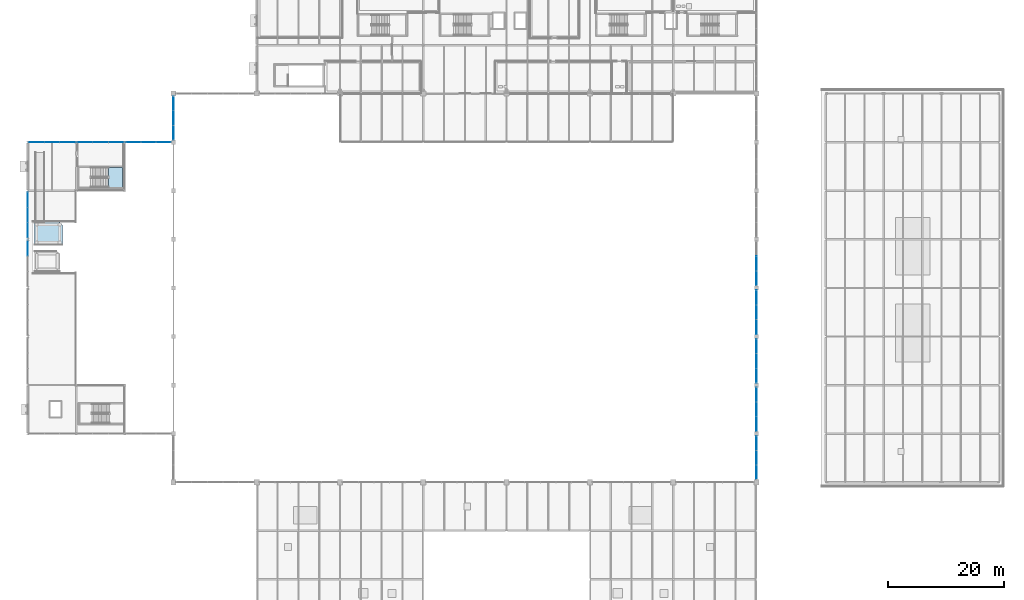
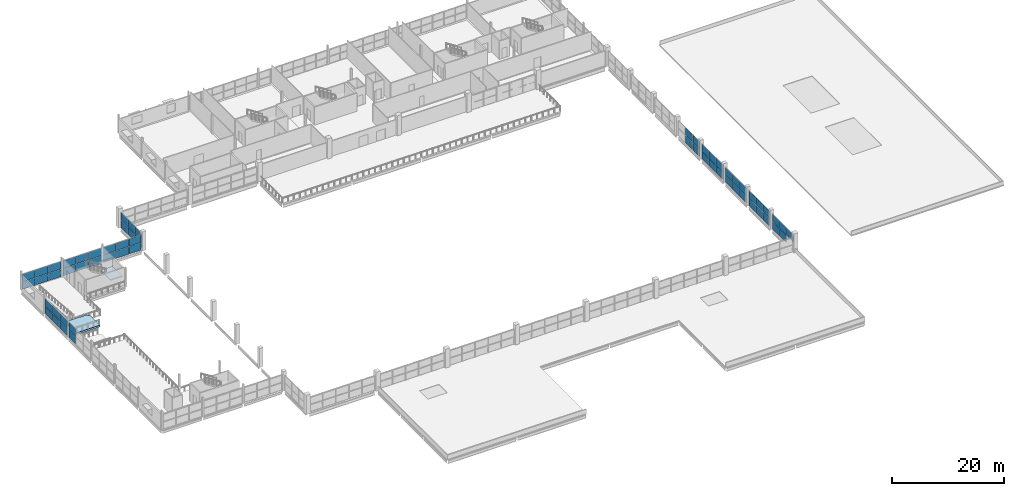
# One storey, part 71 of 93: 59 plates, 2 slabs, 12 elements without a shape of their own.
"""IFC4 building model written with IfcOpenShell, lengths in metres."""

from ifc_helpers import new_model, si_unit, direction, frame, origin, origin_2d, place, context, subcontext, project, spatial, polyline, rectangle, outline, extrude, material, layer, layer_set, type_object, element, aggregate, save


model = new_model("IFC4")

# Units and contexts
model_context = context("Model", 3, precision=1e-05, world=origin(), true_north=direction((0.0, 1.0)))
body_context = subcontext(model_context, "Body", "Model", "MODEL_VIEW")
ifc_project = project(units=[si_unit("LENGTHUNIT", "METRE"), si_unit("AREAUNIT", "SQUARE_METRE"), si_unit("VOLUMEUNIT", "CUBIC_METRE"), si_unit("PLANEANGLEUNIT", "RADIAN"), si_unit("MASSUNIT", "GRAM", prefix="KILO"), si_unit("THERMODYNAMICTEMPERATUREUNIT", "KELVIN")], contexts=[model_context])

# Site, building, storey
site_placement = place(None, origin())
site = spatial("IfcSite", under=ifc_project, at=site_placement, CompositionType="ELEMENT")
building_placement = place(site_placement, origin())
building = spatial("IfcBuilding", under=site, at=building_placement, Name="Nduvali Passage Aquatics Centre", CompositionType="ELEMENT")
storey_placement = place(building_placement, frame((0.0, 0.0, 9.0)))
storey = spatial("IfcBuildingStorey", under=building, at=storey_placement, Name="L02", CompositionType="ELEMENT", Elevation=9.0)

# Curtain wall, plates
ifc_material_1 = material(Name="Aluminium EN AW-6063 T6", Category="aluminium")
curtain_wall_type_1 = type_object("IfcCurtainWallType", Name="ENV-CW-CLER", PredefinedType="NOTDEFINED", material=ifc_material_1)
curtain_wall_1_placement = place(storey_placement, origin())
curtain_wall_1 = element("IfcCurtainWall", 1, at=curtain_wall_1_placement, inside=storey, type_object=curtain_wall_type_1, Name="L02 West Pool Hall Mid Clerestory 013", PredefinedType="NOTDEFINED")
ifc_material_2 = material(Name="Laminated solar-control low-E IGU")
ifc_layer_1 = layer(ifc_material_2, 0.031982421875, Name="Laminated solar-control low-E IGU")
ifc_layer_set_1 = layer_set([ifc_layer_1], Name="Laminated solar-control low-E IGU")
plate_type = type_object("IfcPlateType", Name="ENV-PLT-GLZ32", PredefinedType="CURTAIN_PANEL", material=ifc_layer_set_1)
plate_1_placement = place(storey_placement, frame((25.199951171875, 85.652587890625, 0.06005859375), z_axis=(0.0, 0.0, 1.0), x_axis=(0.0, 1.0, 0.0)))
plate_1 = element("IfcPlate", 2, at=plate_1_placement, type_object=plate_type, Name="West Pool Hall Mid Clerestory Glazed Panel B1-R1", PredefinedType="CURTAIN_PANEL", context=body_context, shape_type="SweptSolid", body=[
    extrude(rectangle(XDim=2.43505859375, YDim=0.031982421875, at=origin_2d()), origin(), (0.0, 0.0, 1.0), 1.61328125),
])
plate_2_placement = place(storey_placement, frame((25.199951171875, 85.652587890625, 1.733154296875), z_axis=(0.0, 0.0, 1.0), x_axis=(0.0, 1.0, 0.0)))
plate_2 = element("IfcPlate", 3, at=plate_2_placement, type_object=plate_type, Name="West Pool Hall Mid Clerestory Glazed Panel B1-R2", PredefinedType="CURTAIN_PANEL", context=body_context, shape_type="SweptSolid", body=[
    extrude(rectangle(XDim=2.43505859375, YDim=0.031982421875, at=origin_2d()), origin(), (0.0, 0.0, 1.0), 1.61328125),
])
plate_3_placement = place(storey_placement, frame((25.199951171875, 88.16259765625, 0.06005859375), z_axis=(0.0, 0.0, 1.0), x_axis=(0.0, 1.0, 0.0)))
plate_3 = element("IfcPlate", 4, at=plate_3_placement, type_object=plate_type, Name="West Pool Hall Mid Clerestory Glazed Panel B2-R1", PredefinedType="CURTAIN_PANEL", context=body_context, shape_type="SweptSolid", body=[
    extrude(rectangle(XDim=2.465087890625, YDim=0.031982421875, at=origin_2d()), origin(), (0.0, 0.0, 1.0), 1.61328125),
])
plate_4_placement = place(storey_placement, frame((25.199951171875, 88.16259765625, 1.733154296875), z_axis=(0.0, 0.0, 1.0), x_axis=(0.0, 1.0, 0.0)))
plate_4 = element("IfcPlate", 5, at=plate_4_placement, type_object=plate_type, Name="West Pool Hall Mid Clerestory Glazed Panel B2-R2", PredefinedType="CURTAIN_PANEL", context=body_context, shape_type="SweptSolid", body=[
    extrude(rectangle(XDim=2.465087890625, YDim=0.031982421875, at=origin_2d()), origin(), (0.0, 0.0, 1.0), 1.61328125),
])
plate_5_placement = place(storey_placement, frame((25.199951171875, 90.672607421875, 0.06005859375), z_axis=(0.0, 0.0, 1.0), x_axis=(0.0, 1.0, 0.0)))
plate_5 = element("IfcPlate", 6, at=plate_5_placement, type_object=plate_type, Name="West Pool Hall Mid Clerestory Glazed Panel B3-R1", PredefinedType="CURTAIN_PANEL", context=body_context, shape_type="SweptSolid", body=[
    extrude(rectangle(XDim=2.43505859375, YDim=0.031982421875, at=origin_2d()), origin(), (0.0, 0.0, 1.0), 1.61328125),
])
plate_6_placement = place(storey_placement, frame((25.199951171875, 90.672607421875, 1.733154296875), z_axis=(0.0, 0.0, 1.0), x_axis=(0.0, 1.0, 0.0)))
plate_6 = element("IfcPlate", 7, at=plate_6_placement, type_object=plate_type, Name="West Pool Hall Mid Clerestory Glazed Panel B3-R2", PredefinedType="CURTAIN_PANEL", context=body_context, shape_type="SweptSolid", body=[
    extrude(rectangle(XDim=2.43505859375, YDim=0.031982421875, at=origin_2d()), origin(), (0.0, 0.0, 1.0), 1.61328125),
])
aggregate(curtain_wall_1, [plate_1, plate_2, plate_3, plate_4, plate_5, plate_6])

curtain_wall_2_placement = place(storey_placement, origin())
curtain_wall_2 = element("IfcCurtainWall", 8, at=curtain_wall_2_placement, inside=storey, type_object=curtain_wall_type_1, Name="L02 East Passage Pool Hall Mid Clerestory 016", PredefinedType="NOTDEFINED")
plate_7_placement = place(storey_placement, frame((126.0, 26.927490234375, 1.733154296875), z_axis=(0.0, 0.0, 1.0), x_axis=(0.0, 1.0, 0.0)))
plate_7 = element("IfcPlate", 9, at=plate_7_placement, type_object=plate_type, Name="East Passage Pool Hall Mid Clerestory Glazed Panel B1-R2", PredefinedType="CURTAIN_PANEL", context=body_context, shape_type="SweptSolid", body=[
    extrude(rectangle(XDim=2.43505859375, YDim=0.031982421875, at=origin_2d()), origin(), (0.0, 0.0, 1.0), 1.61328125),
])
plate_8_placement = place(storey_placement, frame((126.0, 29.4375, 0.06005859375), z_axis=(0.0, 0.0, 1.0), x_axis=(0.0, 1.0, 0.0)))
plate_8 = element("IfcPlate", 10, at=plate_8_placement, type_object=plate_type, Name="East Passage Pool Hall Mid Clerestory Glazed Panel B2-R1", PredefinedType="CURTAIN_PANEL", context=body_context, shape_type="SweptSolid", body=[
    extrude(rectangle(XDim=2.465087890625, YDim=0.031982421875, at=origin_2d()), origin(), (0.0, 0.0, 1.0), 1.61328125),
])
plate_9_placement = place(storey_placement, frame((126.0, 29.4375, 1.733154296875), z_axis=(0.0, 0.0, 1.0), x_axis=(0.0, 1.0, 0.0)))
plate_9 = element("IfcPlate", 11, at=plate_9_placement, type_object=plate_type, Name="East Passage Pool Hall Mid Clerestory Glazed Panel B2-R2", PredefinedType="CURTAIN_PANEL", context=body_context, shape_type="SweptSolid", body=[
    extrude(rectangle(XDim=2.465087890625, YDim=0.031982421875, at=origin_2d()), origin(), (0.0, 0.0, 1.0), 1.61328125),
])
plate_10_placement = place(storey_placement, frame((126.0, 31.947509765625, 0.06005859375), z_axis=(0.0, 0.0, 1.0), x_axis=(0.0, 1.0, 0.0)))
plate_10 = element("IfcPlate", 12, at=plate_10_placement, type_object=plate_type, Name="East Passage Pool Hall Mid Clerestory Glazed Panel B3-R1", PredefinedType="CURTAIN_PANEL", context=body_context, shape_type="SweptSolid", body=[
    extrude(rectangle(XDim=2.43505859375, YDim=0.031982421875, at=origin_2d()), origin(), (0.0, 0.0, 1.0), 1.61328125),
])
plate_11_placement = place(storey_placement, frame((126.0, 31.947509765625, 1.733154296875), z_axis=(0.0, 0.0, 1.0), x_axis=(0.0, 1.0, 0.0)))
plate_11 = element("IfcPlate", 13, at=plate_11_placement, type_object=plate_type, Name="East Passage Pool Hall Mid Clerestory Glazed Panel B3-R2", PredefinedType="CURTAIN_PANEL", context=body_context, shape_type="SweptSolid", body=[
    extrude(rectangle(XDim=2.43505859375, YDim=0.031982421875, at=origin_2d()), origin(), (0.0, 0.0, 1.0), 1.61328125),
])
aggregate(curtain_wall_2, [plate_7, plate_8, plate_9, plate_10, plate_11])

curtain_wall_3_placement = place(storey_placement, origin())
curtain_wall_3 = element("IfcCurtainWall", 14, at=curtain_wall_3_placement, inside=storey, type_object=curtain_wall_type_1, Name="L02 East Passage Pool Hall Mid Clerestory 020", PredefinedType="NOTDEFINED")
plate_12_placement = place(storey_placement, frame((126.0, 35.264892578125, 0.06005859375), z_axis=(0.0, 0.0, 1.0), x_axis=(0.0, 1.0, 0.0)))
plate_12 = element("IfcPlate", 15, at=plate_12_placement, type_object=plate_type, Name="East Passage Pool Hall Mid Clerestory Glazed Panel B1-R1", PredefinedType="CURTAIN_PANEL", context=body_context, shape_type="SweptSolid", body=[
    extrude(rectangle(XDim=2.4599609375, YDim=0.031982421875, at=origin_2d()), origin(), (0.0, 0.0, 1.0), 1.61328125),
])
plate_13_placement = place(storey_placement, frame((126.0, 35.264892578125, 1.733154296875), z_axis=(0.0, 0.0, 1.0), x_axis=(0.0, 1.0, 0.0)))
plate_13 = element("IfcPlate", 16, at=plate_13_placement, type_object=plate_type, Name="East Passage Pool Hall Mid Clerestory Glazed Panel B1-R2", PredefinedType="CURTAIN_PANEL", context=body_context, shape_type="SweptSolid", body=[
    extrude(rectangle(XDim=2.4599609375, YDim=0.031982421875, at=origin_2d()), origin(), (0.0, 0.0, 1.0), 1.61328125),
])
plate_14_placement = place(storey_placement, frame((126.0, 37.800048828125, 0.06005859375), z_axis=(0.0, 0.0, 1.0), x_axis=(0.0, 1.0, 0.0)))
plate_14 = element("IfcPlate", 17, at=plate_14_placement, type_object=plate_type, Name="East Passage Pool Hall Mid Clerestory Glazed Panel B2-R1", PredefinedType="CURTAIN_PANEL", context=body_context, shape_type="SweptSolid", body=[
    extrude(rectangle(XDim=2.489990234375, YDim=0.031982421875, at=origin_2d()), origin(), (0.0, 0.0, 1.0), 1.61328125),
])
plate_15_placement = place(storey_placement, frame((126.0, 37.800048828125, 1.733154296875), z_axis=(0.0, 0.0, 1.0), x_axis=(0.0, 1.0, 0.0)))
plate_15 = element("IfcPlate", 18, at=plate_15_placement, type_object=plate_type, Name="East Passage Pool Hall Mid Clerestory Glazed Panel B2-R2", PredefinedType="CURTAIN_PANEL", context=body_context, shape_type="SweptSolid", body=[
    extrude(rectangle(XDim=2.489990234375, YDim=0.031982421875, at=origin_2d()), origin(), (0.0, 0.0, 1.0), 1.61328125),
])
plate_16_placement = place(storey_placement, frame((126.0, 40.3349609375, 0.06005859375), z_axis=(0.0, 0.0, 1.0), x_axis=(0.0, 1.0, 0.0)))
plate_16 = element("IfcPlate", 19, at=plate_16_placement, type_object=plate_type, Name="East Passage Pool Hall Mid Clerestory Glazed Panel B3-R1", PredefinedType="CURTAIN_PANEL", context=body_context, shape_type="SweptSolid", body=[
    extrude(rectangle(XDim=2.4599609375, YDim=0.031982421875, at=origin_2d()), origin(), (0.0, 0.0, 1.0), 1.61328125),
])
plate_17_placement = place(storey_placement, frame((126.0, 40.3349609375, 1.733154296875), z_axis=(0.0, 0.0, 1.0), x_axis=(0.0, 1.0, 0.0)))
plate_17 = element("IfcPlate", 20, at=plate_17_placement, type_object=plate_type, Name="East Passage Pool Hall Mid Clerestory Glazed Panel B3-R2", PredefinedType="CURTAIN_PANEL", context=body_context, shape_type="SweptSolid", body=[
    extrude(rectangle(XDim=2.4599609375, YDim=0.031982421875, at=origin_2d()), origin(), (0.0, 0.0, 1.0), 1.61328125),
])
aggregate(curtain_wall_3, [plate_12, plate_13, plate_14, plate_15, plate_16, plate_17])

curtain_wall_4_placement = place(storey_placement, origin())
curtain_wall_4 = element("IfcCurtainWall", 21, at=curtain_wall_4_placement, inside=storey, type_object=curtain_wall_type_1, Name="L02 East Passage Pool Hall Mid Clerestory 024", PredefinedType="NOTDEFINED")
plate_18_placement = place(storey_placement, frame((126.0, 43.6650390625, 0.06005859375), z_axis=(0.0, 0.0, 1.0), x_axis=(0.0, 1.0, 0.0)))
plate_18 = element("IfcPlate", 22, at=plate_18_placement, type_object=plate_type, Name="East Passage Pool Hall Mid Clerestory Glazed Panel B1-R1", PredefinedType="CURTAIN_PANEL", context=body_context, shape_type="SweptSolid", body=[
    extrude(rectangle(XDim=2.4599609375, YDim=0.031982421875, at=origin_2d()), origin(), (0.0, 0.0, 1.0), 1.61328125),
])
plate_19_placement = place(storey_placement, frame((126.0, 43.6650390625, 1.733154296875), z_axis=(0.0, 0.0, 1.0), x_axis=(0.0, 1.0, 0.0)))
plate_19 = element("IfcPlate", 23, at=plate_19_placement, type_object=plate_type, Name="East Passage Pool Hall Mid Clerestory Glazed Panel B1-R2", PredefinedType="CURTAIN_PANEL", context=body_context, shape_type="SweptSolid", body=[
    extrude(rectangle(XDim=2.4599609375, YDim=0.031982421875, at=origin_2d()), origin(), (0.0, 0.0, 1.0), 1.61328125),
])
plate_20_placement = place(storey_placement, frame((126.0, 46.199951171875, 0.06005859375), z_axis=(0.0, 0.0, 1.0), x_axis=(0.0, 1.0, 0.0)))
plate_20 = element("IfcPlate", 24, at=plate_20_placement, type_object=plate_type, Name="East Passage Pool Hall Mid Clerestory Glazed Panel B2-R1", PredefinedType="CURTAIN_PANEL", context=body_context, shape_type="SweptSolid", body=[
    extrude(rectangle(XDim=2.489990234375, YDim=0.031982421875, at=origin_2d()), origin(), (0.0, 0.0, 1.0), 1.61328125),
])
plate_21_placement = place(storey_placement, frame((126.0, 46.199951171875, 1.733154296875), z_axis=(0.0, 0.0, 1.0), x_axis=(0.0, 1.0, 0.0)))
plate_21 = element("IfcPlate", 25, at=plate_21_placement, type_object=plate_type, Name="East Passage Pool Hall Mid Clerestory Glazed Panel B2-R2", PredefinedType="CURTAIN_PANEL", context=body_context, shape_type="SweptSolid", body=[
    extrude(rectangle(XDim=2.489990234375, YDim=0.031982421875, at=origin_2d()), origin(), (0.0, 0.0, 1.0), 1.61328125),
])
plate_22_placement = place(storey_placement, frame((126.0, 48.735107421875, 0.06005859375), z_axis=(0.0, 0.0, 1.0), x_axis=(0.0, 1.0, 0.0)))
plate_22 = element("IfcPlate", 26, at=plate_22_placement, type_object=plate_type, Name="East Passage Pool Hall Mid Clerestory Glazed Panel B3-R1", PredefinedType="CURTAIN_PANEL", context=body_context, shape_type="SweptSolid", body=[
    extrude(rectangle(XDim=2.4599609375, YDim=0.031982421875, at=origin_2d()), origin(), (0.0, 0.0, 1.0), 1.61328125),
])
plate_23_placement = place(storey_placement, frame((126.0, 48.735107421875, 1.733154296875), z_axis=(0.0, 0.0, 1.0), x_axis=(0.0, 1.0, 0.0)))
plate_23 = element("IfcPlate", 27, at=plate_23_placement, type_object=plate_type, Name="East Passage Pool Hall Mid Clerestory Glazed Panel B3-R2", PredefinedType="CURTAIN_PANEL", context=body_context, shape_type="SweptSolid", body=[
    extrude(rectangle(XDim=2.4599609375, YDim=0.031982421875, at=origin_2d()), origin(), (0.0, 0.0, 1.0), 1.61328125),
])
aggregate(curtain_wall_4, [plate_18, plate_19, plate_20, plate_21, plate_22, plate_23])

curtain_wall_5_placement = place(storey_placement, origin())
curtain_wall_5 = element("IfcCurtainWall", 28, at=curtain_wall_5_placement, inside=storey, type_object=curtain_wall_type_1, Name="L02 East Passage Pool Hall Mid Clerestory 028", PredefinedType="NOTDEFINED")
plate_24_placement = place(storey_placement, frame((126.0, 52.06494140625, 0.06005859375), z_axis=(0.0, 0.0, 1.0), x_axis=(0.0, 1.0, 0.0)))
plate_24 = element("IfcPlate", 29, at=plate_24_placement, type_object=plate_type, Name="East Passage Pool Hall Mid Clerestory Glazed Panel B1-R1", PredefinedType="CURTAIN_PANEL", context=body_context, shape_type="SweptSolid", body=[
    extrude(rectangle(XDim=2.4599609375, YDim=0.031982421875, at=origin_2d()), origin(), (0.0, 0.0, 1.0), 1.61328125),
])
plate_25_placement = place(storey_placement, frame((126.0, 52.06494140625, 1.733154296875), z_axis=(0.0, 0.0, 1.0), x_axis=(0.0, 1.0, 0.0)))
plate_25 = element("IfcPlate", 30, at=plate_25_placement, type_object=plate_type, Name="East Passage Pool Hall Mid Clerestory Glazed Panel B1-R2", PredefinedType="CURTAIN_PANEL", context=body_context, shape_type="SweptSolid", body=[
    extrude(rectangle(XDim=2.4599609375, YDim=0.031982421875, at=origin_2d()), origin(), (0.0, 0.0, 1.0), 1.61328125),
])
plate_26_placement = place(storey_placement, frame((126.0, 54.60009765625, 0.06005859375), z_axis=(0.0, 0.0, 1.0), x_axis=(0.0, 1.0, 0.0)))
plate_26 = element("IfcPlate", 31, at=plate_26_placement, type_object=plate_type, Name="East Passage Pool Hall Mid Clerestory Glazed Panel B2-R1", PredefinedType="CURTAIN_PANEL", context=body_context, shape_type="SweptSolid", body=[
    extrude(rectangle(XDim=2.489990234375, YDim=0.031982421875, at=origin_2d()), origin(), (0.0, 0.0, 1.0), 1.61328125),
])
plate_27_placement = place(storey_placement, frame((126.0, 54.60009765625, 1.733154296875), z_axis=(0.0, 0.0, 1.0), x_axis=(0.0, 1.0, 0.0)))
plate_27 = element("IfcPlate", 32, at=plate_27_placement, type_object=plate_type, Name="East Passage Pool Hall Mid Clerestory Glazed Panel B2-R2", PredefinedType="CURTAIN_PANEL", context=body_context, shape_type="SweptSolid", body=[
    extrude(rectangle(XDim=2.489990234375, YDim=0.031982421875, at=origin_2d()), origin(), (0.0, 0.0, 1.0), 1.61328125),
])
plate_28_placement = place(storey_placement, frame((126.0, 57.135009765625, 0.06005859375), z_axis=(0.0, 0.0, 1.0), x_axis=(0.0, 1.0, 0.0)))
plate_28 = element("IfcPlate", 33, at=plate_28_placement, type_object=plate_type, Name="East Passage Pool Hall Mid Clerestory Glazed Panel B3-R1", PredefinedType="CURTAIN_PANEL", context=body_context, shape_type="SweptSolid", body=[
    extrude(rectangle(XDim=2.4599609375, YDim=0.031982421875, at=origin_2d()), origin(), (0.0, 0.0, 1.0), 1.61328125),
])
plate_29_placement = place(storey_placement, frame((126.0, 57.135009765625, 1.733154296875), z_axis=(0.0, 0.0, 1.0), x_axis=(0.0, 1.0, 0.0)))
plate_29 = element("IfcPlate", 34, at=plate_29_placement, type_object=plate_type, Name="East Passage Pool Hall Mid Clerestory Glazed Panel B3-R2", PredefinedType="CURTAIN_PANEL", context=body_context, shape_type="SweptSolid", body=[
    extrude(rectangle(XDim=2.4599609375, YDim=0.031982421875, at=origin_2d()), origin(), (0.0, 0.0, 1.0), 1.61328125),
])
aggregate(curtain_wall_5, [plate_24, plate_25, plate_26, plate_27, plate_28, plate_29])

curtain_wall_6_placement = place(storey_placement, origin())
curtain_wall_6 = element("IfcCurtainWall", 35, at=curtain_wall_6_placement, inside=storey, type_object=curtain_wall_type_1, Name="L02 East Passage Pool Hall Mid Clerestory 031", PredefinedType="NOTDEFINED")
plate_30_placement = place(storey_placement, frame((126.0, 60.465087890625, 0.06005859375), z_axis=(0.0, 0.0, 1.0), x_axis=(0.0, 1.0, 0.0)))
plate_30 = element("IfcPlate", 36, at=plate_30_placement, type_object=plate_type, Name="East Passage Pool Hall Mid Clerestory Glazed Panel B1-R1", PredefinedType="CURTAIN_PANEL", context=body_context, shape_type="SweptSolid", body=[
    extrude(rectangle(XDim=2.4599609375, YDim=0.031982421875, at=origin_2d()), origin(), (0.0, 0.0, 1.0), 1.61328125),
])
plate_31_placement = place(storey_placement, frame((126.0, 60.465087890625, 1.733154296875), z_axis=(0.0, 0.0, 1.0), x_axis=(0.0, 1.0, 0.0)))
plate_31 = element("IfcPlate", 37, at=plate_31_placement, type_object=plate_type, Name="East Passage Pool Hall Mid Clerestory Glazed Panel B1-R2", PredefinedType="CURTAIN_PANEL", context=body_context, shape_type="SweptSolid", body=[
    extrude(rectangle(XDim=2.4599609375, YDim=0.031982421875, at=origin_2d()), origin(), (0.0, 0.0, 1.0), 1.61328125),
])
plate_32_placement = place(storey_placement, frame((126.0, 63.0, 0.06005859375), z_axis=(0.0, 0.0, 1.0), x_axis=(0.0, 1.0, 0.0)))
plate_32 = element("IfcPlate", 38, at=plate_32_placement, type_object=plate_type, Name="East Passage Pool Hall Mid Clerestory Glazed Panel B2-R1", PredefinedType="CURTAIN_PANEL", context=body_context, shape_type="SweptSolid", body=[
    extrude(rectangle(XDim=2.489990234375, YDim=0.031982421875, at=origin_2d()), origin(), (0.0, 0.0, 1.0), 1.61328125),
])
plate_33_placement = place(storey_placement, frame((126.0, 63.0, 1.733154296875), z_axis=(0.0, 0.0, 1.0), x_axis=(0.0, 1.0, 0.0)))
plate_33 = element("IfcPlate", 39, at=plate_33_placement, type_object=plate_type, Name="East Passage Pool Hall Mid Clerestory Glazed Panel B2-R2", PredefinedType="CURTAIN_PANEL", context=body_context, shape_type="SweptSolid", body=[
    extrude(rectangle(XDim=2.489990234375, YDim=0.031982421875, at=origin_2d()), origin(), (0.0, 0.0, 1.0), 1.61328125),
])
aggregate(curtain_wall_6, [plate_30, plate_31, plate_32, plate_33])

curtain_wall_type_2 = type_object("IfcCurtainWallType", Name="ENV-CW-DIVE", PredefinedType="NOTDEFINED", material=ifc_material_1)
curtain_wall_7_placement = place(storey_placement, origin())
curtain_wall_7 = element("IfcCurtainWall", 40, at=curtain_wall_7_placement, inside=storey, type_object=curtain_wall_type_2, Name="L02 West Diving High Platform CW 139", PredefinedType="NOTDEFINED")
plate_34_placement = place(storey_placement, frame((0.0, 65.651611328125, 0.06005859375), z_axis=(0.0, 0.0, 1.0), x_axis=(0.0, 1.0, 0.0)))
plate_34 = element("IfcPlate", 41, at=plate_34_placement, type_object=plate_type, Name="West Diving High Platform CW Glazed Panel B3-R1", PredefinedType="CURTAIN_PANEL", context=body_context, shape_type="SweptSolid", body=[
    extrude(rectangle(XDim=2.57666015625, YDim=0.031982421875, at=origin_2d()), origin(), (0.0, 0.0, 1.0), 1.61328125),
])
plate_35_placement = place(storey_placement, frame((0.0, 65.651611328125, 1.733154296875), z_axis=(0.0, 0.0, 1.0), x_axis=(0.0, 1.0, 0.0)))
plate_35 = element("IfcPlate", 42, at=plate_35_placement, type_object=plate_type, Name="West Diving High Platform CW Glazed Panel B3-R2", PredefinedType="CURTAIN_PANEL", context=body_context, shape_type="SweptSolid", body=[
    extrude(rectangle(XDim=2.57666015625, YDim=0.031982421875, at=origin_2d()), origin(), (0.0, 0.0, 1.0), 1.61328125),
])
aggregate(curtain_wall_7, [plate_34, plate_35])

curtain_wall_8_placement = place(storey_placement, origin())
curtain_wall_8 = element("IfcCurtainWall", 43, at=curtain_wall_8_placement, inside=storey, type_object=curtain_wall_type_2, Name="L02 West Diving High Platform CW 144", PredefinedType="NOTDEFINED")
plate_36_placement = place(storey_placement, frame((0.0, 68.75341796875, 0.06005859375), z_axis=(0.0, 0.0, 1.0), x_axis=(0.0, 1.0, 0.0)))
plate_36 = element("IfcPlate", 44, at=plate_36_placement, type_object=plate_type, Name="West Diving High Platform CW Glazed Panel B1-R1", PredefinedType="CURTAIN_PANEL", context=body_context, shape_type="SweptSolid", body=[
    extrude(rectangle(XDim=2.586669921875, YDim=0.031982421875, at=origin_2d()), origin(), (0.0, 0.0, 1.0), 1.61328125),
])
plate_37_placement = place(storey_placement, frame((0.0, 68.75341796875, 1.733154296875), z_axis=(0.0, 0.0, 1.0), x_axis=(0.0, 1.0, 0.0)))
plate_37 = element("IfcPlate", 45, at=plate_37_placement, type_object=plate_type, Name="West Diving High Platform CW Glazed Panel B1-R2", PredefinedType="CURTAIN_PANEL", context=body_context, shape_type="SweptSolid", body=[
    extrude(rectangle(XDim=2.586669921875, YDim=0.031982421875, at=origin_2d()), origin(), (0.0, 0.0, 1.0), 1.61328125),
])
plate_38_placement = place(storey_placement, frame((0.0, 71.4150390625, 0.06005859375), z_axis=(0.0, 0.0, 1.0), x_axis=(0.0, 1.0, 0.0)))
plate_38 = element("IfcPlate", 46, at=plate_38_placement, type_object=plate_type, Name="West Diving High Platform CW Glazed Panel B2-R1", PredefinedType="CURTAIN_PANEL", context=body_context, shape_type="SweptSolid", body=[
    extrude(rectangle(XDim=2.61669921875, YDim=0.031982421875, at=origin_2d()), origin(), (0.0, 0.0, 1.0), 1.61328125),
])
plate_39_placement = place(storey_placement, frame((0.0, 71.4150390625, 1.733154296875), z_axis=(0.0, 0.0, 1.0), x_axis=(0.0, 1.0, 0.0)))
plate_39 = element("IfcPlate", 47, at=plate_39_placement, type_object=plate_type, Name="West Diving High Platform CW Glazed Panel B2-R2", PredefinedType="CURTAIN_PANEL", context=body_context, shape_type="SweptSolid", body=[
    extrude(rectangle(XDim=2.61669921875, YDim=0.031982421875, at=origin_2d()), origin(), (0.0, 0.0, 1.0), 1.61328125),
])
plate_40_placement = place(storey_placement, frame((0.0, 74.07666015625, 0.06005859375), z_axis=(0.0, 0.0, 1.0), x_axis=(0.0, 1.0, 0.0)))
plate_40 = element("IfcPlate", 48, at=plate_40_placement, type_object=plate_type, Name="West Diving High Platform CW Glazed Panel B3-R1", PredefinedType="CURTAIN_PANEL", context=body_context, shape_type="SweptSolid", body=[
    extrude(rectangle(XDim=2.586669921875, YDim=0.031982421875, at=origin_2d()), origin(), (0.0, 0.0, 1.0), 1.61328125),
])
plate_41_placement = place(storey_placement, frame((0.0, 74.07666015625, 1.733154296875), z_axis=(0.0, 0.0, 1.0), x_axis=(0.0, 1.0, 0.0)))
plate_41 = element("IfcPlate", 49, at=plate_41_placement, type_object=plate_type, Name="West Diving High Platform CW Glazed Panel B3-R2", PredefinedType="CURTAIN_PANEL", context=body_context, shape_type="SweptSolid", body=[
    extrude(rectangle(XDim=2.586669921875, YDim=0.031982421875, at=origin_2d()), origin(), (0.0, 0.0, 1.0), 1.61328125),
])
aggregate(curtain_wall_8, [plate_36, plate_37, plate_38, plate_39, plate_40, plate_41])

curtain_wall_9_placement = place(storey_placement, origin())
curtain_wall_9 = element("IfcCurtainWall", 50, at=curtain_wall_9_placement, inside=storey, type_object=curtain_wall_type_2, Name="L02 Diving Side Clerestory CW 156", PredefinedType="NOTDEFINED")
plate_42_placement = place(storey_placement, frame((1.514892578125, 84.0, 0.06005859375), z_axis=(0.0, 0.0, 1.0), x_axis=(1.0, 0.0, 0.0)))
plate_42 = element("IfcPlate", 51, at=plate_42_placement, type_object=plate_type, Name="Diving Side Clerestory CW Glazed Panel B1-R1", PredefinedType="CURTAIN_PANEL", context=body_context, shape_type="SweptSolid", body=[
    extrude(rectangle(XDim=2.610107421875, YDim=0.031982421875, at=origin_2d()), origin(), (0.0, 0.0, 1.0), 1.616455078125),
])
plate_43_placement = place(storey_placement, frame((1.514892578125, 84.0, 1.736328125), z_axis=(0.0, 0.0, 1.0), x_axis=(1.0, 0.0, 0.0)))
plate_43 = element("IfcPlate", 52, at=plate_43_placement, type_object=plate_type, Name="Diving Side Clerestory CW Glazed Panel B1-R2", PredefinedType="CURTAIN_PANEL", context=body_context, shape_type="SweptSolid", body=[
    extrude(rectangle(XDim=2.610107421875, YDim=0.031982421875, at=origin_2d()), origin(), (0.0, 0.0, 1.0), 1.616455078125),
])
plate_44_placement = place(storey_placement, frame((4.199951171875, 84.0, 0.06005859375), z_axis=(0.0, 0.0, 1.0), x_axis=(1.0, 0.0, 0.0)))
plate_44 = element("IfcPlate", 53, at=plate_44_placement, type_object=plate_type, Name="Diving Side Clerestory CW Glazed Panel B2-R1", PredefinedType="CURTAIN_PANEL", context=body_context, shape_type="SweptSolid", body=[
    extrude(rectangle(XDim=2.639892578125, YDim=0.031982421875, at=origin_2d()), origin(), (0.0, 0.0, 1.0), 1.616455078125),
])
plate_45_placement = place(storey_placement, frame((4.199951171875, 84.0, 1.736328125), z_axis=(0.0, 0.0, 1.0), x_axis=(1.0, 0.0, 0.0)))
plate_45 = element("IfcPlate", 54, at=plate_45_placement, type_object=plate_type, Name="Diving Side Clerestory CW Glazed Panel B2-R2", PredefinedType="CURTAIN_PANEL", context=body_context, shape_type="SweptSolid", body=[
    extrude(rectangle(XDim=2.639892578125, YDim=0.031982421875, at=origin_2d()), origin(), (0.0, 0.0, 1.0), 1.616455078125),
])
plate_46_placement = place(storey_placement, frame((6.885009765625, 84.0, 0.06005859375), z_axis=(0.0, 0.0, 1.0), x_axis=(1.0, 0.0, 0.0)))
plate_46 = element("IfcPlate", 55, at=plate_46_placement, type_object=plate_type, Name="Diving Side Clerestory CW Glazed Panel B3-R1", PredefinedType="CURTAIN_PANEL", context=body_context, shape_type="SweptSolid", body=[
    extrude(rectangle(XDim=2.610107421875, YDim=0.031982421875, at=origin_2d()), origin(), (0.0, 0.0, 1.0), 1.616455078125),
])
plate_47_placement = place(storey_placement, frame((6.885009765625, 84.0, 1.736328125), z_axis=(0.0, 0.0, 1.0), x_axis=(1.0, 0.0, 0.0)))
plate_47 = element("IfcPlate", 56, at=plate_47_placement, type_object=plate_type, Name="Diving Side Clerestory CW Glazed Panel B3-R2", PredefinedType="CURTAIN_PANEL", context=body_context, shape_type="SweptSolid", body=[
    extrude(rectangle(XDim=2.610107421875, YDim=0.031982421875, at=origin_2d()), origin(), (0.0, 0.0, 1.0), 1.616455078125),
])
aggregate(curtain_wall_9, [plate_42, plate_43, plate_44, plate_45, plate_46, plate_47])

curtain_wall_10_placement = place(storey_placement, origin())
curtain_wall_10 = element("IfcCurtainWall", 57, at=curtain_wall_10_placement, inside=storey, type_object=curtain_wall_type_2, Name="L02 Diving Side Clerestory CW 158", PredefinedType="NOTDEFINED")
plate_48_placement = place(storey_placement, frame((9.9150390625, 84.0, 0.06005859375), z_axis=(0.0, 0.0, 1.0), x_axis=(1.0, 0.0, 0.0)))
plate_48 = element("IfcPlate", 58, at=plate_48_placement, type_object=plate_type, Name="Diving Side Clerestory CW Glazed Panel B1-R1", PredefinedType="CURTAIN_PANEL", context=body_context, shape_type="SweptSolid", body=[
    extrude(rectangle(XDim=2.610107421875, YDim=0.031982421875, at=origin_2d()), origin(), (0.0, 0.0, 1.0), 1.616455078125),
])
plate_49_placement = place(storey_placement, frame((9.9150390625, 84.0, 1.736328125), z_axis=(0.0, 0.0, 1.0), x_axis=(1.0, 0.0, 0.0)))
plate_49 = element("IfcPlate", 59, at=plate_49_placement, type_object=plate_type, Name="Diving Side Clerestory CW Glazed Panel B1-R2", PredefinedType="CURTAIN_PANEL", context=body_context, shape_type="SweptSolid", body=[
    extrude(rectangle(XDim=2.610107421875, YDim=0.031982421875, at=origin_2d()), origin(), (0.0, 0.0, 1.0), 1.616455078125),
])
plate_50_placement = place(storey_placement, frame((12.60009765625, 84.0, 0.06005859375), z_axis=(0.0, 0.0, 1.0), x_axis=(1.0, 0.0, 0.0)))
plate_50 = element("IfcPlate", 60, at=plate_50_placement, type_object=plate_type, Name="Diving Side Clerestory CW Glazed Panel B2-R1", PredefinedType="CURTAIN_PANEL", context=body_context, shape_type="SweptSolid", body=[
    extrude(rectangle(XDim=2.639892578125, YDim=0.031982421875, at=origin_2d()), origin(), (0.0, 0.0, 1.0), 1.616455078125),
])
plate_51_placement = place(storey_placement, frame((12.60009765625, 84.0, 1.736328125), z_axis=(0.0, 0.0, 1.0), x_axis=(1.0, 0.0, 0.0)))
plate_51 = element("IfcPlate", 61, at=plate_51_placement, type_object=plate_type, Name="Diving Side Clerestory CW Glazed Panel B2-R2", PredefinedType="CURTAIN_PANEL", context=body_context, shape_type="SweptSolid", body=[
    extrude(rectangle(XDim=2.639892578125, YDim=0.031982421875, at=origin_2d()), origin(), (0.0, 0.0, 1.0), 1.616455078125),
])
plate_52_placement = place(storey_placement, frame((15.284912109375, 84.0, 0.06005859375), z_axis=(0.0, 0.0, 1.0), x_axis=(1.0, 0.0, 0.0)))
plate_52 = element("IfcPlate", 62, at=plate_52_placement, type_object=plate_type, Name="Diving Side Clerestory CW Glazed Panel B3-R1", PredefinedType="CURTAIN_PANEL", context=body_context, shape_type="SweptSolid", body=[
    extrude(rectangle(XDim=2.610107421875, YDim=0.031982421875, at=origin_2d()), origin(), (0.0, 0.0, 1.0), 1.616455078125),
])
plate_53_placement = place(storey_placement, frame((15.284912109375, 84.0, 1.736328125), z_axis=(0.0, 0.0, 1.0), x_axis=(1.0, 0.0, 0.0)))
plate_53 = element("IfcPlate", 63, at=plate_53_placement, type_object=plate_type, Name="Diving Side Clerestory CW Glazed Panel B3-R2", PredefinedType="CURTAIN_PANEL", context=body_context, shape_type="SweptSolid", body=[
    extrude(rectangle(XDim=2.610107421875, YDim=0.031982421875, at=origin_2d()), origin(), (0.0, 0.0, 1.0), 1.616455078125),
])
aggregate(curtain_wall_10, [plate_48, plate_49, plate_50, plate_51, plate_52, plate_53])

curtain_wall_11_placement = place(storey_placement, origin())
curtain_wall_11 = element("IfcCurtainWall", 64, at=curtain_wall_11_placement, inside=storey, type_object=curtain_wall_type_2, Name="L02 Diving Side Clerestory CW 160", PredefinedType="NOTDEFINED")
plate_54_placement = place(storey_placement, frame((18.277587890625, 84.0, 0.06005859375), z_axis=(0.0, 0.0, 1.0), x_axis=(1.0, 0.0, 0.0)))
plate_54 = element("IfcPlate", 65, at=plate_54_placement, type_object=plate_type, Name="Diving Side Clerestory CW Glazed Panel B1-R1", PredefinedType="CURTAIN_PANEL", context=body_context, shape_type="SweptSolid", body=[
    extrude(rectangle(XDim=2.534912109375, YDim=0.031982421875, at=origin_2d()), origin(), (0.0, 0.0, 1.0), 1.616455078125),
])
plate_55_placement = place(storey_placement, frame((18.277587890625, 84.0, 1.736328125), z_axis=(0.0, 0.0, 1.0), x_axis=(1.0, 0.0, 0.0)))
plate_55 = element("IfcPlate", 66, at=plate_55_placement, type_object=plate_type, Name="Diving Side Clerestory CW Glazed Panel B1-R2", PredefinedType="CURTAIN_PANEL", context=body_context, shape_type="SweptSolid", body=[
    extrude(rectangle(XDim=2.534912109375, YDim=0.031982421875, at=origin_2d()), origin(), (0.0, 0.0, 1.0), 1.616455078125),
])
plate_56_placement = place(storey_placement, frame((20.887451171875, 84.0, 0.06005859375), z_axis=(0.0, 0.0, 1.0), x_axis=(1.0, 0.0, 0.0)))
plate_56 = element("IfcPlate", 67, at=plate_56_placement, type_object=plate_type, Name="Diving Side Clerestory CW Glazed Panel B2-R1", PredefinedType="CURTAIN_PANEL", context=body_context, shape_type="SweptSolid", body=[
    extrude(rectangle(XDim=2.56494140625, YDim=0.031982421875, at=origin_2d()), origin(), (0.0, 0.0, 1.0), 1.616455078125),
])
plate_57_placement = place(storey_placement, frame((20.887451171875, 84.0, 1.736328125), z_axis=(0.0, 0.0, 1.0), x_axis=(1.0, 0.0, 0.0)))
plate_57 = element("IfcPlate", 68, at=plate_57_placement, type_object=plate_type, Name="Diving Side Clerestory CW Glazed Panel B2-R2", PredefinedType="CURTAIN_PANEL", context=body_context, shape_type="SweptSolid", body=[
    extrude(rectangle(XDim=2.56494140625, YDim=0.031982421875, at=origin_2d()), origin(), (0.0, 0.0, 1.0), 1.616455078125),
])
plate_58_placement = place(storey_placement, frame((23.49755859375, 84.0, 0.06005859375), z_axis=(0.0, 0.0, 1.0), x_axis=(1.0, 0.0, 0.0)))
plate_58 = element("IfcPlate", 69, at=plate_58_placement, type_object=plate_type, Name="Diving Side Clerestory CW Glazed Panel B3-R1", PredefinedType="CURTAIN_PANEL", context=body_context, shape_type="SweptSolid", body=[
    extrude(rectangle(XDim=2.534912109375, YDim=0.031982421875, at=origin_2d()), origin(), (0.0, 0.0, 1.0), 1.616455078125),
])
plate_59_placement = place(storey_placement, frame((23.49755859375, 84.0, 1.736328125), z_axis=(0.0, 0.0, 1.0), x_axis=(1.0, 0.0, 0.0)))
plate_59 = element("IfcPlate", 70, at=plate_59_placement, type_object=plate_type, Name="Diving Side Clerestory CW Glazed Panel B3-R2", PredefinedType="CURTAIN_PANEL", context=body_context, shape_type="SweptSolid", body=[
    extrude(rectangle(XDim=2.534912109375, YDim=0.031982421875, at=origin_2d()), origin(), (0.0, 0.0, 1.0), 1.616455078125),
])
aggregate(curtain_wall_11, [plate_54, plate_55, plate_56, plate_57, plate_58, plate_59])

# Stair, slab
ifc_material_3 = material(Name="Concrete C40/50", Category="concrete")
stair_type = type_object("IfcStairType", Name="INT-STR-CORE164", PredefinedType="HALF_TURN_STAIR", material=ifc_material_3)
stair_placement = place(storey_placement, origin())
stair = element("IfcStair", 71, at=stair_placement, inside=storey, type_object=stair_type, Name="L02 ST12", PredefinedType="HALF_TURN_STAIR")
ifc_layer_2 = layer(ifc_material_3, 0.219970703125, Name="Concrete C40/50")
ifc_layer_set_2 = layer_set([ifc_layer_2], Name="Concrete C40/50")
slab_type_1 = type_object("IfcSlabType", Name="INT-SLB-LAND170", PredefinedType="LANDING", material=ifc_layer_set_2)
slab_1_placement = place(storey_placement, frame((0.0, 0.0, 1.8798828125)))
slab_1 = element("IfcSlab", 72, at=slab_1_placement, type_object=slab_type_1, Name="ST12 landing 1", PredefinedType="LANDING", context=body_context, shape_type="SweptSolid", body=[
    extrude(outline(polyline([(13.97998046875, 76.199951171875), (16.39990234375, 76.199951171875), (16.39990234375, 79.6298828125), (13.97998046875, 79.6298828125), (13.97998046875, 76.199951171875)])), origin(), (0.0, 0.0, 1.0), 0.22021484375),
])
aggregate(stair, [slab_1])

# Slab
ifc_layer_3 = layer(ifc_material_3, 0.3798828125, Name="Concrete C40/50")
ifc_layer_set_3 = layer_set([ifc_layer_3], Name="Concrete C40/50")
slab_type_2 = type_object("IfcSlabType", Name="STR-SLB-DIVE380", PredefinedType="FLOOR", material=ifc_layer_set_3)
slab_2_placement = place(storey_placement, frame((0.0, 0.0, 0.6201171875)))
element("IfcSlab", 73, at=slab_2_placement, inside=storey, type_object=slab_type_2, Name="Diving Tower 10M Platform Slab", PredefinedType="FLOOR", context=body_context, shape_type="SweptSolid", body=[
    extrude(outline(polyline([(1.199951171875, 66.199951171875), (6.0, 66.199951171875), (6.0, 69.699951171875), (5.39990234375, 70.199951171875), (1.199951171875, 70.199951171875), (1.199951171875, 66.199951171875)])), origin(), (0.0, 0.0, 1.0), 0.3798828125),
])

save(model, "model.ifc")
